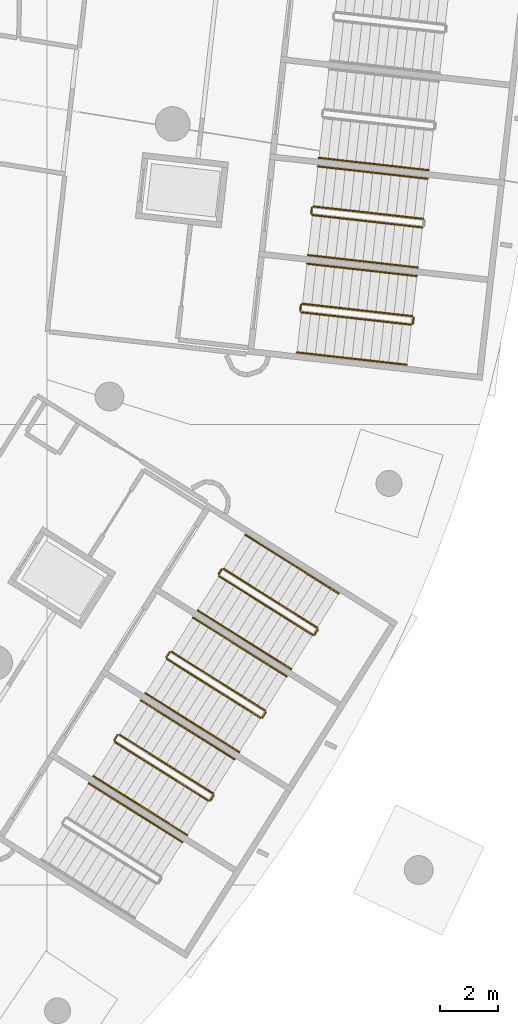
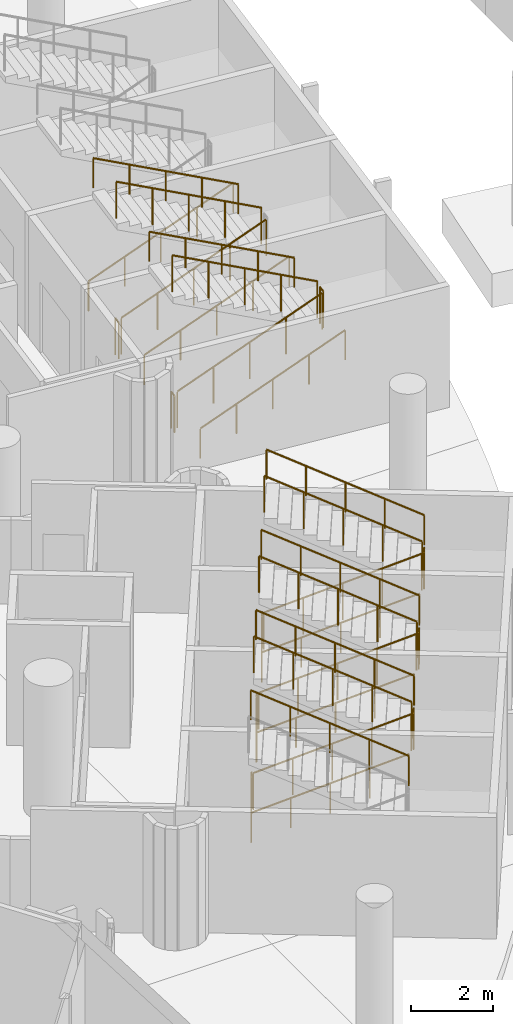
# One storey, part 122 of 142: 31 railings.
"""IFC4 building model written with IfcOpenShell, lengths in metres."""

import ifcopenshell
import ifcopenshell.guid

model = None  # the IFC model being written
_history = None  # IfcOwnerHistory: only IFC2X3 demands one
_inside = {}  # id of a spatial element -> (the spatial element, [elements in it])
_under = {}  # id of a project, library or spatial element -> (it, [spatial elements below it])
_declared = {}  # id of a project -> (the project, [libraries it declares])
_typed = {}  # id of a type object -> (the type object, [elements of that type])
_made_of = {}  # id of a material, layer set ... -> (it, [elements and type objects made of it])


def new_model(schema):
    """Start an empty IFC model of exactly this schema.

    Asked for "IFC4X3", IfcOpenShell would pick the latest addendum, in which some entities
    have other attributes; the version numbers below select the first issue.
    IFC2X3 requires an IfcOwnerHistory on every rooted entity: one is made here for all.
    """
    global model, _history
    if schema == "IFC4X3":
        model = ifcopenshell.file(schema_version=(4, 3, 0, 0))
    else:
        model = ifcopenshell.file(schema=schema)
    _inside.clear()
    _under.clear()
    _declared.clear()
    _typed.clear()
    _made_of.clear()
    _history = None
    if model.schema == "IFC2X3":
        org = make("IfcOrganization", Name="unknown")
        user = make(
            "IfcPersonAndOrganization",
            ThePerson=make("IfcPerson", FamilyName="unknown"),
            TheOrganization=org,
        )
        app = make(
            "IfcApplication",
            ApplicationDeveloper=org,
            Version="unknown",
            ApplicationFullName="unknown",
            ApplicationIdentifier="unknown",
        )
        _history = make(
            "IfcOwnerHistory",
            OwningUser=user,
            OwningApplication=app,
            ChangeAction="ADDED",
            CreationDate=0,
        )
    return model


def make(cls, **values):
    """One entity of the class cls with the attributes given. An attribute that is None is left unset."""
    return model.create_entity(
        cls, **{name: value for name, value in values.items() if value is not None}
    )


def rooted(cls, **values):
    """An entity with a GlobalId (a new one), such as an element, a storey or a relation."""
    return make(cls, GlobalId=ifcopenshell.guid.new(), OwnerHistory=_history, **values)


def si_unit(unit_type, name, prefix=None):
    """IfcSIUnit, for example si_unit("LENGTHUNIT", "METRE", prefix="MILLI")."""
    return make("IfcSIUnit", UnitType=unit_type, Prefix=prefix, Name=name)


def assignment(units):
    """IfcUnitAssignment: the units of a project."""
    return None if units is None else make("IfcUnitAssignment", Units=units)


def point(xyz):
    """IfcCartesianPoint."""
    return None if xyz is None else make("IfcCartesianPoint", Coordinates=xyz)


def direction(xyz):
    """IfcDirection."""
    return None if xyz is None else make("IfcDirection", DirectionRatios=xyz)


def frame(location, z_axis=None, x_axis=None):
    """IfcAxis2Placement3D, a coordinate frame: its origin and axes. An axis left out is left unset."""
    return make(
        "IfcAxis2Placement3D",
        Location=point(location),
        Axis=direction(z_axis),
        RefDirection=direction(x_axis),
    )


def frame_2d(location, x_axis=None):
    """IfcAxis2Placement2D, a coordinate frame in the plane: its origin and x axis."""
    return make(
        "IfcAxis2Placement2D", Location=point(location), RefDirection=direction(x_axis)
    )


def origin():
    """The frame at (0, 0, 0) with its axes left unset."""
    return frame((0.0, 0.0, 0.0))


def origin_2d():
    """The frame at (0, 0) in the plane with its x axis left unset."""
    return frame_2d((0.0, 0.0))


def place(relative_to, where):
    """IfcLocalPlacement: puts the frame where relative to a parent placement (None: the world)."""
    return make(
        "IfcLocalPlacement", PlacementRelTo=relative_to, RelativePlacement=where
    )


def context(
    kind, dimensions, precision=None, world=None, true_north=None, identifier=None
):
    """IfcGeometricRepresentationContext, for example the 3D "Model" context."""
    return make(
        "IfcGeometricRepresentationContext",
        ContextIdentifier=identifier,
        ContextType=kind,
        CoordinateSpaceDimension=dimensions,
        Precision=precision,
        WorldCoordinateSystem=world,
        TrueNorth=true_north,
    )


def subcontext(parent, identifier, kind, view, scale=None):
    """IfcGeometricRepresentationSubContext, for example "Body" below "Model"."""
    return make(
        "IfcGeometricRepresentationSubContext",
        ContextIdentifier=identifier,
        ContextType=kind,
        ParentContext=parent,
        TargetScale=scale,
        TargetView=view,
    )


def project(units=None, contexts=None):
    """IfcProject with its units and contexts."""
    return rooted(
        "IfcProject",
        Name="project",
        RepresentationContexts=contexts,
        UnitsInContext=assignment(units),
    )


def spatial(cls, under=None, at=None, **own):
    """A site, building, storey or space (cls), placed at a placement, below another one or the project."""
    s = rooted(cls, ObjectPlacement=at, **own)
    if under is not None:
        _under.setdefault(under.id(), (under, []))[1].append(s)
    return s


def profile(cls, at=None, kind="AREA", **sizes):
    """A parametric profile (cls). Its sizes go by their IFC names, for example OverallWidth=200.0."""
    return make(cls, ProfileType=kind, Position=at, **sizes)


def circle(**sizes):
    """IfcCircleProfileDef."""
    return profile("IfcCircleProfileDef", **sizes)


def extrude(swept, where, along, depth):
    """IfcExtrudedAreaSolid: the profile swept, set in the frame where, extruded along a direction by depth."""
    return make(
        "IfcExtrudedAreaSolid",
        SweptArea=swept,
        Position=where,
        ExtrudedDirection=direction(along),
        Depth=depth,
    )


def shape(context_of_items, identifier, shape_type, items):
    """IfcShapeRepresentation: the items that make up one representation, for example the "Body"."""
    return make(
        "IfcShapeRepresentation",
        ContextOfItems=context_of_items,
        RepresentationIdentifier=identifier,
        RepresentationType=shape_type,
        Items=items,
    )


def material(Name=None, Category=None):
    """IfcMaterial."""
    return make("IfcMaterial", Name=Name, Category=Category)


def made_of(thing, what):
    """Note that an element or type object is made of a material, layer set ...; save() writes the relation."""
    if what is not None:
        _made_of.setdefault(what.id(), (what, []))[1].append(thing)
    return thing


def type_object(cls, material=None, **own):
    """A type object (cls), such as IfcWallType, which elements share."""
    return made_of(rooted(cls, **own), material)


def element(
    cls,
    number,
    at=None,
    inside=None,
    cuts=None,
    type_object=None,
    material=None,
    context=None,
    identifier="Body",
    shape_type=None,
    held_by="IfcProductDefinitionShape",
    body=None,
    shapes=None,
    **own,
):
    """One element of the class cls, such as IfcWall. Its Tag is "e" and its number.

    at: its placement. inside: the storey or other place that contains it. cuts: it is an
    opening in that element (IfcRelVoidsElement). A single representation is given by context,
    identifier, shape_type and body (its items); several are given by shapes. held_by: the class
    of the entity that holds the representations. save() writes the other relations.
    """
    e = rooted(cls, Tag="e%d" % number, ObjectPlacement=at, **own)
    if body is not None:
        shapes = [shape(context, identifier, shape_type, body)]
    if shapes is not None:
        e.Representation = make(held_by, Representations=shapes)
    if inside is not None:
        _inside.setdefault(inside.id(), (inside, []))[1].append(e)
    if cuts is not None:
        rooted(
            "IfcRelVoidsElement", RelatingBuildingElement=cuts, RelatedOpeningElement=e
        )
    if type_object is not None:
        _typed.setdefault(type_object.id(), (type_object, []))[1].append(e)
    return made_of(e, material)


def aggregate(whole, parts):
    """IfcRelAggregates: a whole, such as a stair, and the parts it consists of."""
    return rooted("IfcRelAggregates", RelatingObject=whole, RelatedObjects=parts)


def save(model, path):
    """Write the relations noted so far, then the file.

    IfcRelAggregates (storeys below a building ...), IfcRelContainedInSpatialStructure (elements
    in a storey), IfcRelDefinesByType, IfcRelAssociatesMaterial and IfcRelDeclares: one each for
    every whole, place, type object, material and project.
    """
    for whole, parts in _under.values():
        aggregate(whole, parts)
    for where, things in _inside.values():
        rooted(
            "IfcRelContainedInSpatialStructure",
            RelatedElements=things,
            RelatingStructure=where,
        )
    for kind, things in _typed.values():
        rooted("IfcRelDefinesByType", RelatedObjects=things, RelatingType=kind)
    for what, things in _made_of.values():
        rooted("IfcRelAssociatesMaterial", RelatedObjects=things, RelatingMaterial=what)
    for by, libraries in _declared.values():
        rooted("IfcRelDeclares", RelatingContext=by, RelatedDefinitions=libraries)
    model.write(path)


model = new_model("IFC4")

# Units and contexts
model_context = context("Model", 3, precision=1e-05, world=origin(), true_north=direction((0.0, 1.0)))
body_context = subcontext(model_context, "Body", "Model", "MODEL_VIEW")
ifc_project = project(units=[si_unit("LENGTHUNIT", "METRE"), si_unit("AREAUNIT", "SQUARE_METRE"), si_unit("VOLUMEUNIT", "CUBIC_METRE"), si_unit("PLANEANGLEUNIT", "RADIAN"), si_unit("MASSUNIT", "GRAM", prefix="KILO")], contexts=[model_context])

# Site, building, storey
site_placement = place(None, origin())
site = spatial("IfcSite", under=ifc_project, at=site_placement, CompositionType="ELEMENT")
building_placement = place(site_placement, origin())
building = spatial("IfcBuilding", under=site, at=building_placement, Name="Meseta Stadium", CompositionType="ELEMENT")
storey_placement = place(building_placement, frame((0.0, 0.0, -4.0)))
storey = spatial("IfcBuildingStorey", under=building, at=storey_placement, Name="B1", CompositionType="ELEMENT", Elevation=-4.0)

# Railings
ifc_material_1 = material(Name="Steel S355", Category="steel")
railing_type_1 = type_object("IfcRailingType", Name="Stair guard 1100", PredefinedType="GUARDRAIL", material=ifc_material_1)
railing_1_placement = place(storey_placement, frame((88.83740234375, -60.10986328125, 0.15380859375)))
element("IfcRailing", 1, at=railing_1_placement, inside=storey, type_object=railing_type_1, Name="ST1 B1 guard 1", PredefinedType="GUARDRAIL", context=body_context, shape_type="SweptSolid", body=[
    extrude(circle(Radius=0.02392578125, at=origin_2d()), frame((0.0, 0.0, 1.076171875), z_axis=(0.89558530144, -0.100903756611, 0.433295972456), x_axis=(0.111959576062, 0.993712761983, 0.0)), (0.0, 0.0, 1.0), 4.2607421875),
    extrude(circle(Radius=0.02099609375, at=origin_2d()), origin(), (0.0, 0.0, 1.0), 1.052001953125),
    extrude(circle(Radius=0.02099609375, at=origin_2d()), frame((0.9541015625, -0.107421875, 0.46142578125)), (0.0, 0.0, 1.0), 1.052001953125),
    extrude(circle(Radius=0.02099609375, at=origin_2d()), frame((1.907958984375, -0.21484375, 0.923095703125)), (0.0, 0.0, 1.0), 1.052001953125),
    extrude(circle(Radius=0.02099609375, at=origin_2d()), frame((2.86181640625, -0.322509765625, 1.384765625)), (0.0, 0.0, 1.0), 1.052001953125),
    extrude(circle(Radius=0.02099609375, at=origin_2d()), frame((3.81591796875, -0.429931640625, 1.84619140625)), (0.0, 0.0, 1.0), 1.052001953125),
])
railing_2_placement = place(storey_placement, frame((92.70849609375, -60.49560546875, 2.0)))
element("IfcRailing", 2, at=railing_2_placement, inside=storey, type_object=railing_type_1, Name="ST1 B1 guard 2", PredefinedType="GUARDRAIL", context=body_context, shape_type="SweptSolid", body=[
    extrude(circle(Radius=0.02392578125, at=origin_2d()), frame((0.0, 0.0, 1.076171875), z_axis=(0.112307083986, 0.993673547442, 0.0), x_axis=(-0.993673547442, 0.112307083986, 0.0)), (0.0, 0.0, 1.0), 0.199951171875),
    extrude(circle(Radius=0.02099609375, at=origin_2d()), origin(), (0.0, 0.0, 1.0), 1.052001953125),
    extrude(circle(Radius=0.02099609375, at=origin_2d()), frame((0.0224609375, 0.19873046875, 0.0)), (0.0, 0.0, 1.0), 1.052001953125),
])
railing_3_placement = place(storey_placement, frame((92.686767578125, -60.24169921875, 2.15380859375)))
element("IfcRailing", 3, at=railing_3_placement, inside=storey, type_object=railing_type_1, Name="ST1 B1 guard 3", PredefinedType="GUARDRAIL", context=body_context, shape_type="SweptSolid", body=[
    extrude(circle(Radius=0.02392578125, at=origin_2d()), frame((0.0, 0.0, 1.076171875), z_axis=(-0.895573959525, 0.100908934847, 0.433318208582), x_axis=(-0.111966649838, -0.99371196497, 0.0)), (0.0, 0.0, 1.0), 4.260498046875),
    extrude(circle(Radius=0.02099609375, at=origin_2d()), origin(), (0.0, 0.0, 1.0), 1.052001953125),
    extrude(circle(Radius=0.02099609375, at=origin_2d()), frame((-0.953857421875, 0.107421875, 0.46142578125)), (0.0, 0.0, 1.0), 1.052001953125),
    extrude(circle(Radius=0.02099609375, at=origin_2d()), frame((-1.90771484375, 0.21484375, 0.923095703125)), (0.0, 0.0, 1.0), 1.052001953125),
    extrude(circle(Radius=0.02099609375, at=origin_2d()), frame((-2.86181640625, 0.322509765625, 1.384765625)), (0.0, 0.0, 1.0), 1.052001953125),
    extrude(circle(Radius=0.02099609375, at=origin_2d()), frame((-3.815673828125, 0.429931640625, 1.84619140625)), (0.0, 0.0, 1.0), 1.052001953125),
])
railing_4_placement = place(storey_placement, frame((88.793212890625, -60.054443359375, 0.0)))
element("IfcRailing", 4, at=railing_4_placement, inside=storey, type_object=railing_type_1, Name="ST1 B1 guard 4", PredefinedType="GUARDRAIL", context=body_context, shape_type="SweptSolid", body=[
    extrude(circle(Radius=0.02392578125, at=origin_2d()), frame((0.0, 0.0, 1.076171875), z_axis=(0.112307083986, 0.993673547442, 0.0), x_axis=(-0.993673547442, 0.112307083986, 0.0)), (0.0, 0.0, 1.0), 0.199951171875),
    extrude(circle(Radius=0.02099609375, at=origin_2d()), origin(), (0.0, 0.0, 1.0), 1.052001953125),
    extrude(circle(Radius=0.02099609375, at=origin_2d()), frame((0.0224609375, 0.19873046875, 0.0)), (0.0, 0.0, 1.0), 1.052001953125),
])
railing_5_placement = place(storey_placement, frame((89.218017578125, -56.731201171875, 0.15380859375)))
element("IfcRailing", 5, at=railing_5_placement, inside=storey, type_object=railing_type_1, Name="ST2 B1 guard 1", PredefinedType="GUARDRAIL", context=body_context, shape_type="SweptSolid", body=[
    extrude(circle(Radius=0.02392578125, at=origin_2d()), frame((0.0, 0.0, 1.076171875), z_axis=(0.89558530144, -0.100903756611, 0.433295972456), x_axis=(0.111959576062, 0.993712761983, 0.0)), (0.0, 0.0, 1.0), 4.2607421875),
    extrude(circle(Radius=0.02099609375, at=origin_2d()), origin(), (0.0, 0.0, 1.0), 1.052001953125),
    extrude(circle(Radius=0.02099609375, at=origin_2d()), frame((0.9541015625, -0.107421875, 0.46142578125)), (0.0, 0.0, 1.0), 1.052001953125),
    extrude(circle(Radius=0.02099609375, at=origin_2d()), frame((1.907958984375, -0.21484375, 0.923095703125)), (0.0, 0.0, 1.0), 1.052001953125),
    extrude(circle(Radius=0.02099609375, at=origin_2d()), frame((2.86181640625, -0.322509765625, 1.384765625)), (0.0, 0.0, 1.0), 1.052001953125),
    extrude(circle(Radius=0.02099609375, at=origin_2d()), frame((3.81591796875, -0.429931640625, 1.84619140625)), (0.0, 0.0, 1.0), 1.052001953125),
])
railing_6_placement = place(storey_placement, frame((93.067626953125, -56.863037109375, 2.15380859375)))
element("IfcRailing", 6, at=railing_6_placement, inside=storey, type_object=railing_type_1, Name="ST2 B1 guard 3", PredefinedType="GUARDRAIL", context=body_context, shape_type="SweptSolid", body=[
    extrude(circle(Radius=0.02392578125, at=origin_2d()), frame((0.0, 0.0, 1.076171875), z_axis=(-0.89558530144, 0.100903756611, 0.433295972456), x_axis=(-0.111959576062, -0.993712761983, 0.0)), (0.0, 0.0, 1.0), 4.2607421875),
    extrude(circle(Radius=0.02099609375, at=origin_2d()), origin(), (0.0, 0.0, 1.0), 1.052001953125),
    extrude(circle(Radius=0.02099609375, at=origin_2d()), frame((-0.9541015625, 0.107421875, 0.46142578125)), (0.0, 0.0, 1.0), 1.052001953125),
    extrude(circle(Radius=0.02099609375, at=origin_2d()), frame((-1.907958984375, 0.21484375, 0.923095703125)), (0.0, 0.0, 1.0), 1.052001953125),
    extrude(circle(Radius=0.02099609375, at=origin_2d()), frame((-2.86181640625, 0.322509765625, 1.384765625)), (0.0, 0.0, 1.0), 1.052001953125),
    extrude(circle(Radius=0.02099609375, at=origin_2d()), frame((-3.81591796875, 0.429931640625, 1.84619140625)), (0.0, 0.0, 1.0), 1.052001953125),
])
railing_7_placement = place(storey_placement, frame((89.174072265625, -56.676025390625, 0.0)))
element("IfcRailing", 7, at=railing_7_placement, inside=storey, type_object=railing_type_1, Name="ST2 B1 guard 4", PredefinedType="GUARDRAIL", context=body_context, shape_type="SweptSolid", body=[
    extrude(circle(Radius=0.02392578125, at=origin_2d()), frame((0.0, 0.0, 1.076171875), z_axis=(0.111101504696, 0.993809063983, 0.0), x_axis=(-0.993809063983, 0.111101504696, 0.0)), (0.0, 0.0, 1.0), 0.199951171875),
    extrude(circle(Radius=0.02099609375, at=origin_2d()), origin(), (0.0, 0.0, 1.0), 1.052001953125),
    extrude(circle(Radius=0.02099609375, at=origin_2d()), frame((0.022216796875, 0.19873046875, 0.0)), (0.0, 0.0, 1.0), 1.052001953125),
])
railing_8_placement = place(storey_placement, frame((82.356201171875, -75.029052734375, 0.15380859375)))
element("IfcRailing", 8, at=railing_8_placement, inside=storey, type_object=railing_type_1, Name="ST110 B1 guard 1", PredefinedType="GUARDRAIL", context=body_context, shape_type="SweptSolid", body=[
    extrude(circle(Radius=0.02392578125, at=origin_2d()), frame((0.0, 0.0, 1.076171875), z_axis=(0.763116583952, -0.479483373968, 0.433299865434), x_axis=(0.532020497206, 0.84673147488, 0.0)), (0.0, 0.0, 1.0), 4.2607421875),
    extrude(circle(Radius=0.02099609375, at=origin_2d()), origin(), (0.0, 0.0, 1.0), 1.052001953125),
    extrude(circle(Radius=0.02099609375, at=origin_2d()), frame((0.81298828125, -0.5107421875, 0.46142578125)), (0.0, 0.0, 1.0), 1.052001953125),
    extrude(circle(Radius=0.02099609375, at=origin_2d()), frame((1.625732421875, -1.021484375, 0.923095703125)), (0.0, 0.0, 1.0), 1.052001953125),
    extrude(circle(Radius=0.02099609375, at=origin_2d()), frame((2.4384765625, -1.5322265625, 1.384765625)), (0.0, 0.0, 1.0), 1.052001953125),
    extrude(circle(Radius=0.02099609375, at=origin_2d()), frame((3.25146484375, -2.04296875, 1.84619140625)), (0.0, 0.0, 1.0), 1.052001953125),
])
railing_9_placement = place(storey_placement, frame((85.6767578125, -77.056396484375, 2.0)))
element("IfcRailing", 9, at=railing_9_placement, inside=storey, type_object=railing_type_1, Name="ST110 B1 guard 2", PredefinedType="GUARDRAIL", context=body_context, shape_type="SweptSolid", body=[
    extrude(circle(Radius=0.02392578125, at=origin_2d()), frame((0.0, 0.0, 1.076171875), z_axis=(0.531095943551, 0.847311689252, 0.0), x_axis=(-0.847311689252, 0.531095943551, 0.0)), (0.0, 0.0, 1.0), 0.199951171875),
    extrude(circle(Radius=0.02099609375, at=origin_2d()), origin(), (0.0, 0.0, 1.0), 1.052001953125),
    extrude(circle(Radius=0.02099609375, at=origin_2d()), frame((0.106201171875, 0.16943359375, 0.0)), (0.0, 0.0, 1.0), 1.052001953125),
])
railing_10_placement = place(storey_placement, frame((85.767333984375, -76.818115234375, 2.15380859375)))
element("IfcRailing", 10, at=railing_10_placement, inside=storey, type_object=railing_type_1, Name="ST110 B1 guard 3", PredefinedType="GUARDRAIL", context=body_context, shape_type="SweptSolid", body=[
    extrude(circle(Radius=0.02392578125, at=origin_2d()), frame((0.0, 0.0, 1.076171875), z_axis=(-0.763116583952, 0.479483373968, 0.433299865434), x_axis=(-0.532020497206, -0.84673147488, 0.0)), (0.0, 0.0, 1.0), 4.2607421875),
    extrude(circle(Radius=0.02099609375, at=origin_2d()), origin(), (0.0, 0.0, 1.0), 1.052001953125),
    extrude(circle(Radius=0.02099609375, at=origin_2d()), frame((-0.81298828125, 0.5107421875, 0.46142578125)), (0.0, 0.0, 1.0), 1.052001953125),
    extrude(circle(Radius=0.02099609375, at=origin_2d()), frame((-1.625732421875, 1.021484375, 0.923095703125)), (0.0, 0.0, 1.0), 1.052001953125),
    extrude(circle(Radius=0.02099609375, at=origin_2d()), frame((-2.4384765625, 1.5322265625, 1.384765625)), (0.0, 0.0, 1.0), 1.052001953125),
    extrude(circle(Radius=0.02099609375, at=origin_2d()), frame((-3.25146484375, 2.04296875, 1.84619140625)), (0.0, 0.0, 1.0), 1.052001953125),
])
railing_11_placement = place(storey_placement, frame((82.340576171875, -74.960205078125, 0.0)))
element("IfcRailing", 11, at=railing_11_placement, inside=storey, type_object=railing_type_1, Name="ST110 B1 guard 4", PredefinedType="GUARDRAIL", context=body_context, shape_type="SweptSolid", body=[
    extrude(circle(Radius=0.02392578125, at=origin_2d()), frame((0.0, 0.0, 1.076171875), z_axis=(0.531971628011, 0.846762178531, 0.0), x_axis=(-0.846762178531, 0.531971628011, 0.0)), (0.0, 0.0, 1.0), 0.2001953125),
    extrude(circle(Radius=0.02099609375, at=origin_2d()), origin(), (0.0, 0.0, 1.0), 1.052001953125),
    extrude(circle(Radius=0.02099609375, at=origin_2d()), frame((0.1064453125, 0.16943359375, 0.0)), (0.0, 0.0, 1.0), 1.052001953125),
])
railing_12_placement = place(storey_placement, frame((84.165283203125, -72.150146484375, 0.15380859375)))
element("IfcRailing", 12, at=railing_12_placement, inside=storey, type_object=railing_type_1, Name="ST111 B1 guard 1", PredefinedType="GUARDRAIL", context=body_context, shape_type="SweptSolid", body=[
    extrude(circle(Radius=0.02392578125, at=origin_2d()), frame((0.0, 0.0, 1.076171875), z_axis=(0.763092651012, -0.479504340592, 0.433318812567), x_axis=(0.532049138955, 0.846713477947, 0.0)), (0.0, 0.0, 1.0), 4.260498046875),
    extrude(circle(Radius=0.02099609375, at=origin_2d()), origin(), (0.0, 0.0, 1.0), 1.052001953125),
    extrude(circle(Radius=0.02099609375, at=origin_2d()), frame((0.812744140625, -0.5107421875, 0.46142578125)), (0.0, 0.0, 1.0), 1.052001953125),
    extrude(circle(Radius=0.02099609375, at=origin_2d()), frame((1.62548828125, -1.021484375, 0.923095703125)), (0.0, 0.0, 1.0), 1.052001953125),
    extrude(circle(Radius=0.02099609375, at=origin_2d()), frame((2.4384765625, -1.5322265625, 1.384765625)), (0.0, 0.0, 1.0), 1.052001953125),
    extrude(circle(Radius=0.02099609375, at=origin_2d()), frame((3.251220703125, -2.04296875, 1.84619140625)), (0.0, 0.0, 1.0), 1.052001953125),
])
railing_13_placement = place(storey_placement, frame((87.485595703125, -74.177490234375, 2.0)))
element("IfcRailing", 13, at=railing_13_placement, inside=storey, type_object=railing_type_1, Name="ST111 B1 guard 2", PredefinedType="GUARDRAIL", context=body_context, shape_type="SweptSolid", body=[
    extrude(circle(Radius=0.02392578125, at=origin_2d()), frame((0.0, 0.0, 1.076171875), z_axis=(0.531971628011, 0.846762178531, 0.0), x_axis=(-0.846762178531, 0.531971628011, 0.0)), (0.0, 0.0, 1.0), 0.2001953125),
    extrude(circle(Radius=0.02099609375, at=origin_2d()), origin(), (0.0, 0.0, 1.0), 1.052001953125),
    extrude(circle(Radius=0.02099609375, at=origin_2d()), frame((0.1064453125, 0.16943359375, 0.0)), (0.0, 0.0, 1.0), 1.052001953125),
])
railing_14_placement = place(storey_placement, frame((87.576171875, -73.939208984375, 2.15380859375)))
element("IfcRailing", 14, at=railing_14_placement, inside=storey, type_object=railing_type_1, Name="ST111 B1 guard 3", PredefinedType="GUARDRAIL", context=body_context, shape_type="SweptSolid", body=[
    extrude(circle(Radius=0.02392578125, at=origin_2d()), frame((0.0, 0.0, 1.076171875), z_axis=(-0.763116583952, 0.479483373968, 0.433299865434), x_axis=(-0.532020497206, -0.84673147488, 0.0)), (0.0, 0.0, 1.0), 4.2607421875),
    extrude(circle(Radius=0.02099609375, at=origin_2d()), origin(), (0.0, 0.0, 1.0), 1.052001953125),
    extrude(circle(Radius=0.02099609375, at=origin_2d()), frame((-0.81298828125, 0.5107421875, 0.46142578125)), (0.0, 0.0, 1.0), 1.052001953125),
    extrude(circle(Radius=0.02099609375, at=origin_2d()), frame((-1.625732421875, 1.021484375, 0.923095703125)), (0.0, 0.0, 1.0), 1.052001953125),
    extrude(circle(Radius=0.02099609375, at=origin_2d()), frame((-2.4384765625, 1.5322265625, 1.384765625)), (0.0, 0.0, 1.0), 1.052001953125),
    extrude(circle(Radius=0.02099609375, at=origin_2d()), frame((-3.25146484375, 2.04296875, 1.84619140625)), (0.0, 0.0, 1.0), 1.052001953125),
])
railing_15_placement = place(storey_placement, frame((84.1494140625, -72.081298828125, 0.0)))
element("IfcRailing", 15, at=railing_15_placement, inside=storey, type_object=railing_type_1, Name="ST111 B1 guard 4", PredefinedType="GUARDRAIL", context=body_context, shape_type="SweptSolid", body=[
    extrude(circle(Radius=0.02392578125, at=origin_2d()), frame((0.0, 0.0, 1.076171875), z_axis=(0.531971628011, 0.846762178531, 0.0), x_axis=(-0.846762178531, 0.531971628011, 0.0)), (0.0, 0.0, 1.0), 0.2001953125),
    extrude(circle(Radius=0.02099609375, at=origin_2d()), origin(), (0.0, 0.0, 1.0), 1.052001953125),
    extrude(circle(Radius=0.02099609375, at=origin_2d()), frame((0.1064453125, 0.16943359375, 0.0)), (0.0, 0.0, 1.0), 1.052001953125),
])
railing_16_placement = place(storey_placement, frame((85.97412109375, -69.271240234375, 0.15380859375)))
element("IfcRailing", 16, at=railing_16_placement, inside=storey, type_object=railing_type_1, Name="ST112 B1 guard 1", PredefinedType="GUARDRAIL", context=body_context, shape_type="SweptSolid", body=[
    extrude(circle(Radius=0.02392578125, at=origin_2d()), frame((0.0, 0.0, 1.076171875), z_axis=(0.763095617528, -0.479527498355, 0.433287960636), x_axis=(0.53206607739, 0.846702834111, 0.0)), (0.0, 0.0, 1.0), 4.260986328125),
    extrude(circle(Radius=0.02099609375, at=origin_2d()), origin(), (0.0, 0.0, 1.0), 1.052001953125),
    extrude(circle(Radius=0.02099609375, at=origin_2d()), frame((0.81298828125, -0.5107421875, 0.46142578125)), (0.0, 0.0, 1.0), 1.052001953125),
    extrude(circle(Radius=0.02099609375, at=origin_2d()), frame((1.625732421875, -1.021484375, 0.923095703125)), (0.0, 0.0, 1.0), 1.052001953125),
    extrude(circle(Radius=0.02099609375, at=origin_2d()), frame((2.4384765625, -1.532470703125, 1.384765625)), (0.0, 0.0, 1.0), 1.052001953125),
    extrude(circle(Radius=0.02099609375, at=origin_2d()), frame((3.25146484375, -2.043212890625, 1.84619140625)), (0.0, 0.0, 1.0), 1.052001953125),
])
railing_17_placement = place(storey_placement, frame((89.29443359375, -71.298583984375, 2.0)))
element("IfcRailing", 17, at=railing_17_placement, inside=storey, type_object=railing_type_1, Name="ST112 B1 guard 2", PredefinedType="GUARDRAIL", context=body_context, shape_type="SweptSolid", body=[
    extrude(circle(Radius=0.02392578125, at=origin_2d()), frame((0.0, 0.0, 1.076171875), z_axis=(0.531971628011, 0.846762178531, 0.0), x_axis=(-0.846762178531, 0.531971628011, 0.0)), (0.0, 0.0, 1.0), 0.2001953125),
    extrude(circle(Radius=0.02099609375, at=origin_2d()), origin(), (0.0, 0.0, 1.0), 1.052001953125),
    extrude(circle(Radius=0.02099609375, at=origin_2d()), frame((0.1064453125, 0.16943359375, 0.0)), (0.0, 0.0, 1.0), 1.052001953125),
])
railing_18_placement = place(storey_placement, frame((89.385009765625, -71.060302734375, 2.15380859375)))
element("IfcRailing", 18, at=railing_18_placement, inside=storey, type_object=railing_type_1, Name="ST112 B1 guard 3", PredefinedType="GUARDRAIL", context=body_context, shape_type="SweptSolid", body=[
    extrude(circle(Radius=0.02392578125, at=origin_2d()), frame((0.0, 0.0, 1.076171875), z_axis=(-0.763092651012, 0.479504340592, 0.433318812567), x_axis=(-0.532049138955, -0.846713477947, 0.0)), (0.0, 0.0, 1.0), 4.260498046875),
    extrude(circle(Radius=0.02099609375, at=origin_2d()), origin(), (0.0, 0.0, 1.0), 1.052001953125),
    extrude(circle(Radius=0.02099609375, at=origin_2d()), frame((-0.812744140625, 0.5107421875, 0.46142578125)), (0.0, 0.0, 1.0), 1.052001953125),
    extrude(circle(Radius=0.02099609375, at=origin_2d()), frame((-1.62548828125, 1.021484375, 0.923095703125)), (0.0, 0.0, 1.0), 1.052001953125),
    extrude(circle(Radius=0.02099609375, at=origin_2d()), frame((-2.4384765625, 1.5322265625, 1.384765625)), (0.0, 0.0, 1.0), 1.052001953125),
    extrude(circle(Radius=0.02099609375, at=origin_2d()), frame((-3.251220703125, 2.04296875, 1.84619140625)), (0.0, 0.0, 1.0), 1.052001953125),
])
railing_19_placement = place(storey_placement, frame((85.958251953125, -69.202392578125, 0.0)))
element("IfcRailing", 19, at=railing_19_placement, inside=storey, type_object=railing_type_1, Name="ST112 B1 guard 4", PredefinedType="GUARDRAIL", context=body_context, shape_type="SweptSolid", body=[
    extrude(circle(Radius=0.02392578125, at=origin_2d()), frame((0.0, 0.0, 1.076171875), z_axis=(0.531971628011, 0.846762178531, 0.0), x_axis=(-0.846762178531, 0.531971628011, 0.0)), (0.0, 0.0, 1.0), 0.2001953125),
    extrude(circle(Radius=0.02099609375, at=origin_2d()), origin(), (0.0, 0.0, 1.0), 1.052001953125),
    extrude(circle(Radius=0.02099609375, at=origin_2d()), frame((0.1064453125, 0.16943359375, 0.0)), (0.0, 0.0, 1.0), 1.052001953125),
])
ifc_material_2 = material(Name="Steel S355", Category="steel")
railing_type_2 = type_object("IfcRailingType", Name="Stair handrail 900", PredefinedType="HANDRAIL", material=ifc_material_2)
railing_20_placement = place(storey_placement, frame((88.6806640625, -61.5009765625, 0.15380859375)))
element("IfcRailing", 20, at=railing_20_placement, inside=storey, type_object=railing_type_2, Name="ST1 B1 handrail 1", PredefinedType="HANDRAIL", context=body_context, shape_type="SweptSolid", body=[
    extrude(circle(Radius=0.02392578125, at=origin_2d()), frame((0.0, 0.0, 0.8759765625), z_axis=(0.89558530144, -0.100903756611, 0.433295972456), x_axis=(0.111959576062, 0.993712761983, 0.0)), (0.0, 0.0, 1.0), 4.2607421875),
    extrude(circle(Radius=0.02099609375, at=origin_2d()), origin(), (0.0, 0.0, 1.0), 0.851806640625),
    extrude(circle(Radius=0.02099609375, at=origin_2d()), frame((0.9541015625, -0.107421875, 0.46142578125)), (0.0, 0.0, 1.0), 0.851806640625),
    extrude(circle(Radius=0.02099609375, at=origin_2d()), frame((1.907958984375, -0.21484375, 0.923095703125)), (0.0, 0.0, 1.0), 0.851806640625),
    extrude(circle(Radius=0.02099609375, at=origin_2d()), frame((2.86181640625, -0.322509765625, 1.384765625)), (0.0, 0.0, 1.0), 0.851806640625),
    extrude(circle(Radius=0.02099609375, at=origin_2d()), frame((3.81591796875, -0.429931640625, 1.84619140625)), (0.0, 0.0, 1.0), 0.851806640625),
])
railing_21_placement = place(storey_placement, frame((92.843505859375, -58.8505859375, 2.15380859375)))
element("IfcRailing", 21, at=railing_21_placement, inside=storey, type_object=railing_type_2, Name="ST1 B1 handrail 2", PredefinedType="HANDRAIL", context=body_context, shape_type="SweptSolid", body=[
    extrude(circle(Radius=0.02392578125, at=origin_2d()), frame((0.0, 0.0, 0.8759765625), z_axis=(-0.895568779631, 0.100965652934, 0.433315702321), x_axis=(-0.112029433367, -0.993704888817, 0.0)), (0.0, 0.0, 1.0), 4.260498046875),
    extrude(circle(Radius=0.02099609375, at=origin_2d()), origin(), (0.0, 0.0, 1.0), 0.851806640625),
    extrude(circle(Radius=0.02099609375, at=origin_2d()), frame((-0.953857421875, 0.107421875, 0.46142578125)), (0.0, 0.0, 1.0), 0.851806640625),
    extrude(circle(Radius=0.02099609375, at=origin_2d()), frame((-1.90771484375, 0.215087890625, 0.923095703125)), (0.0, 0.0, 1.0), 0.851806640625),
    extrude(circle(Radius=0.02099609375, at=origin_2d()), frame((-2.86181640625, 0.32275390625, 1.384765625)), (0.0, 0.0, 1.0), 0.851806640625),
    extrude(circle(Radius=0.02099609375, at=origin_2d()), frame((-3.815673828125, 0.43017578125, 1.84619140625)), (0.0, 0.0, 1.0), 0.851806640625),
])
railing_22_placement = place(storey_placement, frame((89.061279296875, -58.122314453125, 0.15380859375)))
element("IfcRailing", 22, at=railing_22_placement, inside=storey, type_object=railing_type_2, Name="ST2 B1 handrail 1", PredefinedType="HANDRAIL", context=body_context, shape_type="SweptSolid", body=[
    extrude(circle(Radius=0.02392578125, at=origin_2d()), frame((0.0, 0.0, 0.8759765625), z_axis=(0.89558530144, -0.100903756611, 0.433295972456), x_axis=(0.111959576062, 0.993712761983, 0.0)), (0.0, 0.0, 1.0), 4.2607421875),
    extrude(circle(Radius=0.02099609375, at=origin_2d()), origin(), (0.0, 0.0, 1.0), 0.851806640625),
    extrude(circle(Radius=0.02099609375, at=origin_2d()), frame((0.9541015625, -0.107421875, 0.46142578125)), (0.0, 0.0, 1.0), 0.851806640625),
    extrude(circle(Radius=0.02099609375, at=origin_2d()), frame((1.907958984375, -0.21484375, 0.923095703125)), (0.0, 0.0, 1.0), 0.851806640625),
    extrude(circle(Radius=0.02099609375, at=origin_2d()), frame((2.86181640625, -0.322509765625, 1.384765625)), (0.0, 0.0, 1.0), 0.851806640625),
    extrude(circle(Radius=0.02099609375, at=origin_2d()), frame((3.81591796875, -0.429931640625, 1.84619140625)), (0.0, 0.0, 1.0), 0.851806640625),
])
railing_23_placement = place(storey_placement, frame((93.224365234375, -55.471923828125, 2.15380859375)))
element("IfcRailing", 23, at=railing_23_placement, inside=storey, type_object=railing_type_2, Name="ST2 B1 handrail 2", PredefinedType="HANDRAIL", context=body_context, shape_type="SweptSolid", body=[
    extrude(circle(Radius=0.02392578125, at=origin_2d()), frame((0.0, 0.0, 0.8759765625), z_axis=(-0.89558530144, 0.100903756611, 0.433295972456), x_axis=(-0.111959576062, -0.993712761983, 0.0)), (0.0, 0.0, 1.0), 4.2607421875),
    extrude(circle(Radius=0.02099609375, at=origin_2d()), origin(), (0.0, 0.0, 1.0), 0.851806640625),
    extrude(circle(Radius=0.02099609375, at=origin_2d()), frame((-0.9541015625, 0.107421875, 0.46142578125)), (0.0, 0.0, 1.0), 0.851806640625),
    extrude(circle(Radius=0.02099609375, at=origin_2d()), frame((-1.907958984375, 0.21484375, 0.923095703125)), (0.0, 0.0, 1.0), 0.851806640625),
    extrude(circle(Radius=0.02099609375, at=origin_2d()), frame((-2.86181640625, 0.322509765625, 1.384765625)), (0.0, 0.0, 1.0), 0.851806640625),
    extrude(circle(Radius=0.02099609375, at=origin_2d()), frame((-3.81591796875, 0.429931640625, 1.84619140625)), (0.0, 0.0, 1.0), 0.851806640625),
])
railing_24_placement = place(storey_placement, frame((89.442138671875, -54.743896484375, 0.15380859375)))
element("IfcRailing", 24, at=railing_24_placement, inside=storey, type_object=railing_type_2, Name="ST3 B1 handrail 1", PredefinedType="HANDRAIL", context=body_context, shape_type="SweptSolid", body=[
    extrude(circle(Radius=0.02392578125, at=origin_2d()), frame((0.0, 0.0, 0.8759765625), z_axis=(0.895573959525, -0.100908934847, 0.433318208582), x_axis=(0.111966649838, 0.99371196497, 0.0)), (0.0, 0.0, 1.0), 4.260498046875),
    extrude(circle(Radius=0.02099609375, at=origin_2d()), origin(), (0.0, 0.0, 1.0), 0.851806640625),
    extrude(circle(Radius=0.02099609375, at=origin_2d()), frame((0.953857421875, -0.107421875, 0.46142578125)), (0.0, 0.0, 1.0), 0.851806640625),
    extrude(circle(Radius=0.02099609375, at=origin_2d()), frame((1.90771484375, -0.21484375, 0.923095703125)), (0.0, 0.0, 1.0), 0.851806640625),
    extrude(circle(Radius=0.02099609375, at=origin_2d()), frame((2.86181640625, -0.322509765625, 1.384765625)), (0.0, 0.0, 1.0), 0.851806640625),
    extrude(circle(Radius=0.02099609375, at=origin_2d()), frame((3.815673828125, -0.429931640625, 1.84619140625)), (0.0, 0.0, 1.0), 0.851806640625),
])
railing_25_placement = place(storey_placement, frame((84.703125, -78.511474609375, 2.15380859375)))
element("IfcRailing", 25, at=railing_25_placement, inside=storey, type_object=railing_type_2, Name="ST109 B1 handrail 2", PredefinedType="HANDRAIL", context=body_context, shape_type="SweptSolid", body=[
    extrude(circle(Radius=0.02392578125, at=origin_2d()), frame((0.0, 0.0, 0.8759765625), z_axis=(-0.763092651012, 0.479504340592, 0.433318812567), x_axis=(-0.532049138955, -0.846713477947, 0.0)), (0.0, 0.0, 1.0), 4.260498046875),
    extrude(circle(Radius=0.02099609375, at=origin_2d()), origin(), (0.0, 0.0, 1.0), 0.851806640625),
    extrude(circle(Radius=0.02099609375, at=origin_2d()), frame((-0.812744140625, 0.5107421875, 0.46142578125)), (0.0, 0.0, 1.0), 0.851806640625),
    extrude(circle(Radius=0.02099609375, at=origin_2d()), frame((-1.62548828125, 1.021484375, 0.923095703125)), (0.0, 0.0, 1.0), 0.851806640625),
    extrude(circle(Radius=0.02099609375, at=origin_2d()), frame((-2.4384765625, 1.5322265625, 1.384765625)), (0.0, 0.0, 1.0), 0.851806640625),
    extrude(circle(Radius=0.02099609375, at=origin_2d()), frame((-3.251220703125, 2.04296875, 1.84619140625)), (0.0, 0.0, 1.0), 0.851806640625),
])
railing_26_placement = place(storey_placement, frame((81.611328125, -76.21435546875, 0.15380859375)))
element("IfcRailing", 26, at=railing_26_placement, inside=storey, type_object=railing_type_2, Name="ST110 B1 handrail 1", PredefinedType="HANDRAIL", context=body_context, shape_type="SweptSolid", body=[
    extrude(circle(Radius=0.02392578125, at=origin_2d()), frame((0.0, 0.0, 0.8759765625), z_axis=(0.763095617528, -0.479527498355, 0.433287960636), x_axis=(0.53206607739, 0.846702834111, 0.0)), (0.0, 0.0, 1.0), 4.260986328125),
    extrude(circle(Radius=0.02099609375, at=origin_2d()), origin(), (0.0, 0.0, 1.0), 0.851806640625),
    extrude(circle(Radius=0.02099609375, at=origin_2d()), frame((0.81298828125, -0.5107421875, 0.46142578125)), (0.0, 0.0, 1.0), 0.851806640625),
    extrude(circle(Radius=0.02099609375, at=origin_2d()), frame((1.625732421875, -1.021484375, 0.923095703125)), (0.0, 0.0, 1.0), 0.851806640625),
    extrude(circle(Radius=0.02099609375, at=origin_2d()), frame((2.4384765625, -1.532470703125, 1.384765625)), (0.0, 0.0, 1.0), 0.851806640625),
    extrude(circle(Radius=0.02099609375, at=origin_2d()), frame((3.25146484375, -2.043212890625, 1.84619140625)), (0.0, 0.0, 1.0), 0.851806640625),
])
railing_27_placement = place(storey_placement, frame((86.51220703125, -75.632568359375, 2.15380859375)))
element("IfcRailing", 27, at=railing_27_placement, inside=storey, type_object=railing_type_2, Name="ST110 B1 handrail 2", PredefinedType="HANDRAIL", context=body_context, shape_type="SweptSolid", body=[
    extrude(circle(Radius=0.02392578125, at=origin_2d()), frame((0.0, 0.0, 0.8759765625), z_axis=(-0.763116583952, 0.479483373968, 0.433299865434), x_axis=(-0.532020497206, -0.84673147488, 0.0)), (0.0, 0.0, 1.0), 4.2607421875),
    extrude(circle(Radius=0.02099609375, at=origin_2d()), origin(), (0.0, 0.0, 1.0), 0.851806640625),
    extrude(circle(Radius=0.02099609375, at=origin_2d()), frame((-0.81298828125, 0.5107421875, 0.46142578125)), (0.0, 0.0, 1.0), 0.851806640625),
    extrude(circle(Radius=0.02099609375, at=origin_2d()), frame((-1.625732421875, 1.021484375, 0.923095703125)), (0.0, 0.0, 1.0), 0.851806640625),
    extrude(circle(Radius=0.02099609375, at=origin_2d()), frame((-2.4384765625, 1.5322265625, 1.384765625)), (0.0, 0.0, 1.0), 0.851806640625),
    extrude(circle(Radius=0.02099609375, at=origin_2d()), frame((-3.25146484375, 2.04296875, 1.84619140625)), (0.0, 0.0, 1.0), 0.851806640625),
])
railing_28_placement = place(storey_placement, frame((83.42041015625, -73.335693359375, 0.15380859375)))
element("IfcRailing", 28, at=railing_28_placement, inside=storey, type_object=railing_type_2, Name="ST111 B1 handrail 1", PredefinedType="HANDRAIL", context=body_context, shape_type="SweptSolid", body=[
    extrude(circle(Radius=0.02392578125, at=origin_2d()), frame((0.0, 0.0, 0.8759765625), z_axis=(0.763116583952, -0.479483373968, 0.433299865434), x_axis=(0.532020497206, 0.84673147488, 0.0)), (0.0, 0.0, 1.0), 4.2607421875),
    extrude(circle(Radius=0.02099609375, at=origin_2d()), origin(), (0.0, 0.0, 1.0), 0.851806640625),
    extrude(circle(Radius=0.02099609375, at=origin_2d()), frame((0.81298828125, -0.5107421875, 0.46142578125)), (0.0, 0.0, 1.0), 0.851806640625),
    extrude(circle(Radius=0.02099609375, at=origin_2d()), frame((1.625732421875, -1.021484375, 0.923095703125)), (0.0, 0.0, 1.0), 0.851806640625),
    extrude(circle(Radius=0.02099609375, at=origin_2d()), frame((2.4384765625, -1.5322265625, 1.384765625)), (0.0, 0.0, 1.0), 0.851806640625),
    extrude(circle(Radius=0.02099609375, at=origin_2d()), frame((3.25146484375, -2.04296875, 1.84619140625)), (0.0, 0.0, 1.0), 0.851806640625),
])
railing_29_placement = place(storey_placement, frame((88.321044921875, -72.753662109375, 2.15380859375)))
element("IfcRailing", 29, at=railing_29_placement, inside=storey, type_object=railing_type_2, Name="ST111 B1 handrail 2", PredefinedType="HANDRAIL", context=body_context, shape_type="SweptSolid", body=[
    extrude(circle(Radius=0.02392578125, at=origin_2d()), frame((0.0, 0.0, 0.8759765625), z_axis=(-0.763116583952, 0.479483373968, 0.433299865434), x_axis=(-0.532020497206, -0.84673147488, 0.0)), (0.0, 0.0, 1.0), 4.2607421875),
    extrude(circle(Radius=0.02099609375, at=origin_2d()), origin(), (0.0, 0.0, 1.0), 0.851806640625),
    extrude(circle(Radius=0.02099609375, at=origin_2d()), frame((-0.81298828125, 0.5107421875, 0.46142578125)), (0.0, 0.0, 1.0), 0.851806640625),
    extrude(circle(Radius=0.02099609375, at=origin_2d()), frame((-1.625732421875, 1.021484375, 0.923095703125)), (0.0, 0.0, 1.0), 0.851806640625),
    extrude(circle(Radius=0.02099609375, at=origin_2d()), frame((-2.4384765625, 1.5322265625, 1.384765625)), (0.0, 0.0, 1.0), 0.851806640625),
    extrude(circle(Radius=0.02099609375, at=origin_2d()), frame((-3.25146484375, 2.04296875, 1.84619140625)), (0.0, 0.0, 1.0), 0.851806640625),
])
railing_30_placement = place(storey_placement, frame((85.229248046875, -70.456787109375, 0.15380859375)))
element("IfcRailing", 30, at=railing_30_placement, inside=storey, type_object=railing_type_2, Name="ST112 B1 handrail 1", PredefinedType="HANDRAIL", context=body_context, shape_type="SweptSolid", body=[
    extrude(circle(Radius=0.02392578125, at=origin_2d()), frame((0.0, 0.0, 0.8759765625), z_axis=(0.763116583952, -0.479483373968, 0.433299865434), x_axis=(0.532020497206, 0.84673147488, 0.0)), (0.0, 0.0, 1.0), 4.2607421875),
    extrude(circle(Radius=0.02099609375, at=origin_2d()), origin(), (0.0, 0.0, 1.0), 0.851806640625),
    extrude(circle(Radius=0.02099609375, at=origin_2d()), frame((0.81298828125, -0.5107421875, 0.46142578125)), (0.0, 0.0, 1.0), 0.851806640625),
    extrude(circle(Radius=0.02099609375, at=origin_2d()), frame((1.625732421875, -1.021484375, 0.923095703125)), (0.0, 0.0, 1.0), 0.851806640625),
    extrude(circle(Radius=0.02099609375, at=origin_2d()), frame((2.4384765625, -1.5322265625, 1.384765625)), (0.0, 0.0, 1.0), 0.851806640625),
    extrude(circle(Radius=0.02099609375, at=origin_2d()), frame((3.25146484375, -2.04296875, 1.84619140625)), (0.0, 0.0, 1.0), 0.851806640625),
])
railing_31_placement = place(storey_placement, frame((90.1298828125, -69.875, 2.15380859375)))
element("IfcRailing", 31, at=railing_31_placement, inside=storey, type_object=railing_type_2, Name="ST112 B1 handrail 2", PredefinedType="HANDRAIL", context=body_context, shape_type="SweptSolid", body=[
    extrude(circle(Radius=0.02392578125, at=origin_2d()), frame((0.0, 0.0, 0.8759765625), z_axis=(-0.763071683412, 0.479548465756, 0.433306906207), x_axis=(-0.532094719654, -0.846684834703, 0.0)), (0.0, 0.0, 1.0), 4.2607421875),
    extrude(circle(Radius=0.02099609375, at=origin_2d()), origin(), (0.0, 0.0, 1.0), 0.851806640625),
    extrude(circle(Radius=0.02099609375, at=origin_2d()), frame((-0.812744140625, 0.5107421875, 0.46142578125)), (0.0, 0.0, 1.0), 0.851806640625),
    extrude(circle(Radius=0.02099609375, at=origin_2d()), frame((-1.62548828125, 1.021484375, 0.923095703125)), (0.0, 0.0, 1.0), 0.851806640625),
    extrude(circle(Radius=0.02099609375, at=origin_2d()), frame((-2.4384765625, 1.532470703125, 1.384765625)), (0.0, 0.0, 1.0), 0.851806640625),
    extrude(circle(Radius=0.02099609375, at=origin_2d()), frame((-3.251220703125, 2.043212890625, 1.84619140625)), (0.0, 0.0, 1.0), 0.851806640625),
])

save(model, "model.ifc")
